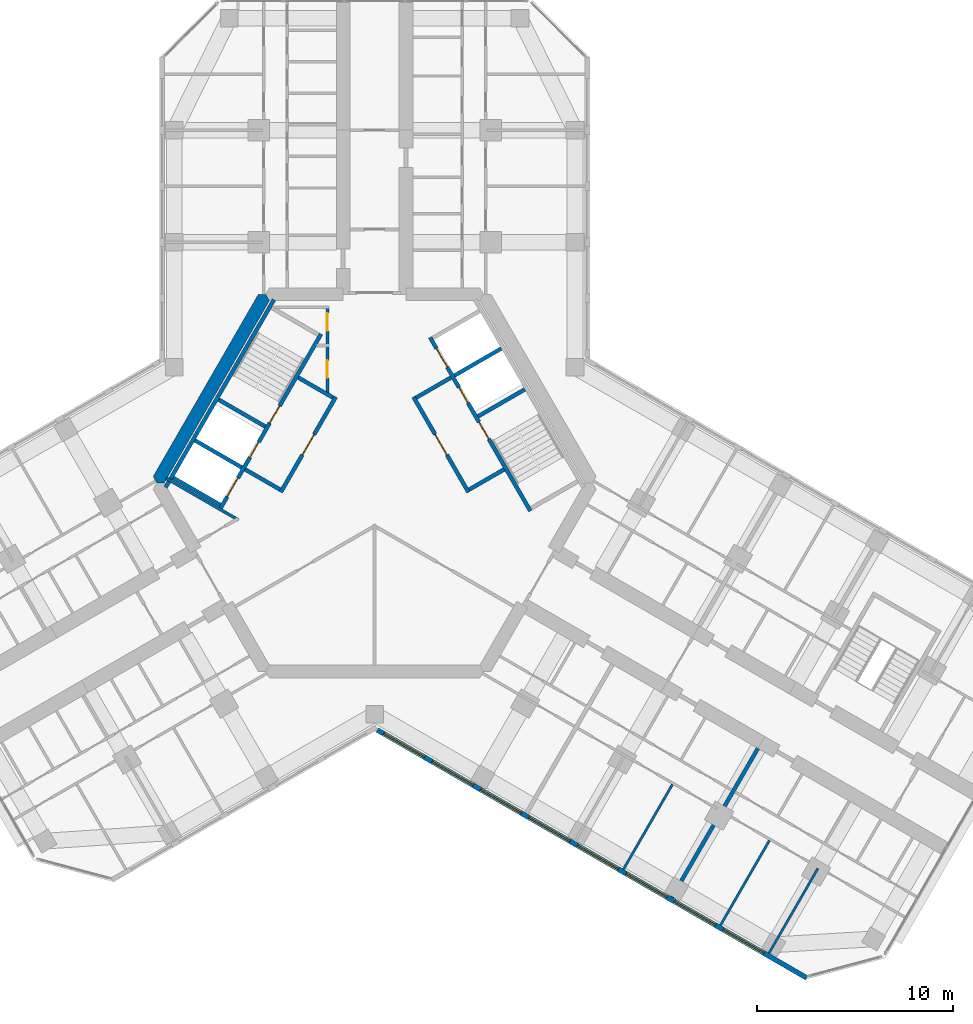
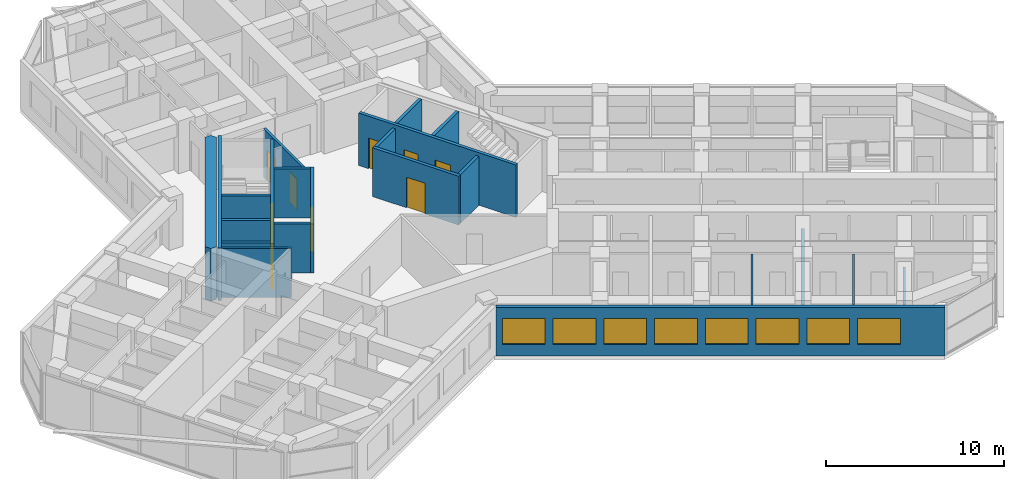
# One storey, part 10 of 16: 22 walls, 10 doors, 8 windows, 18 openings.
"""IFC4 building model written with IfcOpenShell, lengths in metres."""

from ifc_helpers import new_model, si_unit, direction, frame, frame_2d, origin, place, context, subcontext, project, spatial, polyline, rectangle, outline, extrude, material, layer, layer_set, type_object, element, fill, save


model = new_model("IFC4")

# Units and contexts
model_context = context("Model", 3, precision=1e-05, world=origin(), true_north=direction((0.0, 1.0)))
body_context = subcontext(model_context, "Body", "Model", "MODEL_VIEW")
ifc_project = project(units=[si_unit("LENGTHUNIT", "METRE"), si_unit("AREAUNIT", "SQUARE_METRE"), si_unit("VOLUMEUNIT", "CUBIC_METRE"), si_unit("PLANEANGLEUNIT", "RADIAN"), si_unit("MASSUNIT", "GRAM", prefix="KILO")], contexts=[model_context])

# Site, building, storey
site_placement = place(None, origin())
site = spatial("IfcSite", under=ifc_project, at=site_placement, CompositionType="ELEMENT")
building_placement = place(site_placement, origin())
building = spatial("IfcBuilding", under=site, at=building_placement, Name="Kosmar Iwan School Tower", CompositionType="ELEMENT")
storey_placement = place(building_placement, frame((0.0, 0.0, 215.39990234375)))
storey = spatial("IfcBuildingStorey", under=building, at=storey_placement, Name="L54", CompositionType="ELEMENT", Elevation=215.39990234375)

# Wall, openings, doors
ifc_material_1 = material(Name="Gypsum board on steel studs, fire-rated", Category="steel")
ifc_layer_1 = layer(ifc_material_1, 0.14990234375)
ifc_layer_set_1 = layer_set([ifc_layer_1], Name="Core room partition 150")
wall_type_1 = type_object("IfcWallType", Name="Core room partition 150", PredefinedType="PARTITIONING", material=ifc_layer_set_1)
wall_1_placement = place(storey_placement, frame((-2.39990234375, 9.014892578125, 0.0), z_axis=(0.0, 0.0, 1.0), x_axis=(0.0, -1.0, 0.0)))
wall_1 = element("IfcWall", 1, at=wall_1_placement, inside=storey, type_object=wall_type_1, Name="Core room partition L54-CW1", PredefinedType="PARTITIONING", context=body_context, shape_type="SweptSolid", body=[
    extrude(rectangle(XDim=4.484130859375, YDim=0.14990234375, at=frame_2d((2.2421875, 0.0))), origin(), (0.0, 0.0, 1.0), 3.35009765625),
])
opening_1_placement = place(wall_1_placement, frame((0.375, 0.0, 0.0)))
opening_1 = element("IfcOpeningElement", 2, at=opening_1_placement, cuts=wall_1, Name="Opening D14", PredefinedType="OPENING", context=body_context, shape_type="SweptSolid", body=[
    extrude(rectangle(XDim=0.89990234375, YDim=2.10009765625, at=frame_2d((0.449951171875, 1.050048828125))), frame((0.0, 0.0869140625, 0.0), z_axis=(0.0, -1.0, 0.0), x_axis=(1.0, 0.0, 0.0)), (0.0, 0.0, 1.0), 0.173828125),
])
opening_2_placement = place(wall_1_placement, frame((2.77490234375, 0.0, 0.0)))
opening_2 = element("IfcOpeningElement", 3, at=opening_2_placement, cuts=wall_1, Name="Opening D14", PredefinedType="OPENING", context=body_context, shape_type="SweptSolid", body=[
    extrude(rectangle(XDim=0.89990234375, YDim=2.10009765625, at=frame_2d((0.449951171875, 1.050048828125))), frame((0.0, 0.0869140625, 0.0), z_axis=(0.0, -1.0, 0.0), x_axis=(1.0, 0.0, 0.0)), (0.0, 0.0, 1.0), 0.173828125),
])
ifc_material_2 = material(Name="Timber fire door in steel frame", Category="steel")
door_type_1 = type_object("IfcDoorType", Name="Core room door 900x2100", OperationType="SINGLE_SWING_LEFT", PredefinedType="DOOR", material=ifc_material_2)
door_1_placement = place(opening_1_placement, origin())
door_1 = element("IfcDoor", 4, at=door_1_placement, inside=storey, type_object=door_type_1, Name="Electrical riser and switch room door L54 1", OperationType="SINGLE_SWING_LEFT", OverallHeight=2.10009765625, OverallWidth=0.89990234375, PredefinedType="DOOR", context=body_context, shape_type="SweptSolid", body=[
    extrude(rectangle(XDim=0.89990234375, YDim=2.10009765625, at=frame_2d((0.449951171875, 1.050048828125))), frame((0.0, 0.02490234375, 0.0), z_axis=(0.0, -1.0, 0.0), x_axis=(1.0, 0.0, 0.0)), (0.0, 0.0, 1.0), 0.050048828125),
])
fill(opening_1, door_1)
door_2_placement = place(opening_2_placement, origin())
door_2 = element("IfcDoor", 5, at=door_2_placement, inside=storey, type_object=door_type_1, Name="Plumbing and wet riser door L54 2", OperationType="SINGLE_SWING_RIGHT", OverallHeight=2.10009765625, OverallWidth=0.89990234375, PredefinedType="DOOR", context=body_context, shape_type="SweptSolid", body=[
    extrude(rectangle(XDim=0.89990234375, YDim=2.10009765625, at=frame_2d((0.449951171875, 1.050048828125))), frame((0.0, 0.02490234375, 0.0), z_axis=(0.0, -1.0, 0.0), x_axis=(1.0, 0.0, 0.0)), (0.0, 0.0, 1.0), 0.050048828125),
])
fill(opening_2, door_2)

# Walls
wall_2_placement = place(storey_placement, frame((-10.599609375, 0.230712890625, 0.0), z_axis=(0.0, 0.0, 1.0), x_axis=(0.866026091839, -0.499998808253, 0.0)))
element("IfcWall", 6, at=wall_2_placement, inside=storey, type_object=wall_type_1, Name="Core room partition L54-CW8", PredefinedType="PARTITIONING", context=body_context, shape_type="SweptSolid", body=[
    extrude(rectangle(XDim=4.2314453125, YDim=0.14990234375, at=frame_2d((2.11572265625, 0.0))), origin(), (0.0, 0.0, 1.0), 3.35009765625),
])
ifc_material_3 = material(Name="Concrete C50/60", Category="concrete")
ifc_layer_2 = layer(ifc_material_3, 0.64990234375)
ifc_layer_set_2 = layer_set([ifc_layer_2], Name="Core wall 650")
wall_type_2 = type_object("IfcWallType", Name="Core wall 650", PredefinedType="SHEAR", material=ifc_layer_set_2)
wall_3_placement = place(storey_placement, origin())
element("IfcWall", 7, at=wall_3_placement, inside=storey, type_object=wall_type_2, Name="Core wall F150", PredefinedType="SHEAR", context=body_context, shape_type="SweptSolid", body=[
    extrude(outline(polyline([(-11.085205078125, 0.0), (-10.7099609375, 0.0), (-5.35498046875, 9.27490234375), (-5.54248046875, 9.60009765625), (-5.917724609375, 9.60009765625), (-11.272705078125, 0.324951171875), (-11.085205078125, 0.0)])), origin(), (0.0, 0.0, 1.0), 3.60009765625),
])
ifc_material_4 = material(Name="Gypsum board on steel studs", Category="steel")
ifc_layer_3 = layer(ifc_material_4, 0.1201171875)
ifc_layer_set_3 = layer_set([ifc_layer_3], Name="Dwelling partition 120")
wall_type_3 = type_object("IfcWallType", Name="Dwelling partition 120", PredefinedType="PARTITIONING", material=ifc_layer_set_3)
for number, where, z_axis, x_axis, name in (
    (8, (15.158447265625, -15.344970703125, 0.0), (0.0, 0.0, 1.0), (-0.500011847778, -0.866018563358, 0.0), "Partition L54-CR2-X2"),
    (9, (20.0947265625, -18.195068359375, 0.0), (0.0, 0.0, 1.0), (-0.500011847778, -0.866018563358, 0.0), "Partition L54-CR3-X1"),
):
    element("IfcWall", number, at=place(storey_placement, frame(where, z_axis=z_axis, x_axis=x_axis)), inside=storey, type_object=wall_type_3, Name=name, PredefinedType="PARTITIONING", context=body_context, shape_type="SweptSolid", body=[
        extrude(rectangle(XDim=4.990234375, YDim=0.1201171875, at=frame_2d((2.4951171875, 0.0))), origin(), (0.0, 0.0, 1.0), 3.35009765625),
    ])
wall_4_placement = place(storey_placement, frame((22.562744140625, -19.6201171875, 0.0), z_axis=(0.0, 0.0, 1.0), x_axis=(-0.499996339024, -0.86602751744, 0.0)))
element("IfcWall", 10, at=wall_4_placement, inside=storey, type_object=wall_type_3, Name="Partition L54-CR3-X2", PredefinedType="PARTITIONING", context=body_context, shape_type="SweptSolid", body=[
    extrude(rectangle(XDim=4.98974609375, YDim=0.1201171875, at=frame_2d((2.494873046875, 0.0))), origin(), (0.0, 0.0, 1.0), 2.4501953125),
])

# Wall, openings, windows
ifc_material_5 = material(Name="Black aluminium rainscreen on insulated framing", Category="aluminium")
ifc_layer_4 = layer(ifc_material_5, 0.25)
ifc_layer_set_4 = layer_set([ifc_layer_4], Name="External wall rainscreen 250")
wall_type_4 = type_object("IfcWallType", Name="External wall rainscreen 250", PredefinedType="SOLIDWALL", material=ifc_layer_set_4)
wall_5_placement = place(storey_placement, frame((0.137939453125, -12.5791015625, 0.0), z_axis=(0.0, 0.0, 1.0), x_axis=(0.866023775649, -0.500002820003, 0.0)))
wall_5 = element("IfcWall", 11, at=wall_5_placement, inside=storey, type_object=wall_type_4, Name="External wall CR L54", PredefinedType="SOLIDWALL", context=body_context, shape_type="SweptSolid", body=[
    extrude(rectangle(XDim=25.226318359375, YDim=0.25, at=frame_2d((12.61328125, 0.0))), origin(), (0.0, 0.0, 1.0), 3.35009765625),
])
opening_3_placement = place(wall_5_placement, frame((0.365966796875, 0.0, 0.800048828125)))
opening_3 = element("IfcOpeningElement", 12, at=opening_3_placement, cuts=wall_5, Name="Opening W5", PredefinedType="OPENING", context=body_context, shape_type="SweptSolid", body=[
    extrude(rectangle(XDim=2.39990234375, YDim=1.800048828125, at=frame_2d((1.199951171875, 0.89990234375))), frame((0.0, 0.136962890625, 0.0), z_axis=(0.0, -1.0, 0.0), x_axis=(1.0, 0.0, 0.0)), (0.0, 0.0, 1.0), 0.27392578125),
])
opening_4_placement = place(wall_5_placement, frame((3.216064453125, 0.0, 0.800048828125)))
opening_4 = element("IfcOpeningElement", 13, at=opening_4_placement, cuts=wall_5, Name="Opening W5", PredefinedType="OPENING", context=body_context, shape_type="SweptSolid", body=[
    extrude(rectangle(XDim=2.39990234375, YDim=1.800048828125, at=frame_2d((1.199951171875, 0.89990234375))), frame((0.0, 0.136962890625, 0.0), z_axis=(0.0, -1.0, 0.0), x_axis=(1.0, 0.0, 0.0)), (0.0, 0.0, 1.0), 0.27392578125),
])
opening_5_placement = place(wall_5_placement, frame((6.06591796875, 0.0, 0.800048828125)))
opening_5 = element("IfcOpeningElement", 14, at=opening_5_placement, cuts=wall_5, Name="Opening W5", PredefinedType="OPENING", context=body_context, shape_type="SweptSolid", body=[
    extrude(rectangle(XDim=2.39990234375, YDim=1.800048828125, at=frame_2d((1.199951171875, 0.89990234375))), frame((0.0, 0.136962890625, 0.0), z_axis=(0.0, -1.0, 0.0), x_axis=(1.0, 0.0, 0.0)), (0.0, 0.0, 1.0), 0.27392578125),
])
opening_6_placement = place(wall_5_placement, frame((8.916015625, 0.0, 0.800048828125)))
opening_6 = element("IfcOpeningElement", 15, at=opening_6_placement, cuts=wall_5, Name="Opening W5", PredefinedType="OPENING", context=body_context, shape_type="SweptSolid", body=[
    extrude(rectangle(XDim=2.39990234375, YDim=1.800048828125, at=frame_2d((1.199951171875, 0.89990234375))), frame((0.0, 0.136962890625, 0.0), z_axis=(0.0, -1.0, 0.0), x_axis=(1.0, 0.0, 0.0)), (0.0, 0.0, 1.0), 0.27392578125),
])
opening_7_placement = place(wall_5_placement, frame((11.76611328125, 0.0, 0.800048828125)))
opening_7 = element("IfcOpeningElement", 16, at=opening_7_placement, cuts=wall_5, Name="Opening W5", PredefinedType="OPENING", context=body_context, shape_type="SweptSolid", body=[
    extrude(rectangle(XDim=2.39990234375, YDim=1.800048828125, at=frame_2d((1.199951171875, 0.89990234375))), frame((0.0, 0.136962890625, 0.0), z_axis=(0.0, -1.0, 0.0), x_axis=(1.0, 0.0, 0.0)), (0.0, 0.0, 1.0), 0.27392578125),
])
opening_8_placement = place(wall_5_placement, frame((14.615966796875, 0.0, 0.800048828125)))
opening_8 = element("IfcOpeningElement", 17, at=opening_8_placement, cuts=wall_5, Name="Opening W5", PredefinedType="OPENING", context=body_context, shape_type="SweptSolid", body=[
    extrude(rectangle(XDim=2.39990234375, YDim=1.800048828125, at=frame_2d((1.199951171875, 0.89990234375))), frame((0.0, 0.136962890625, 0.0), z_axis=(0.0, -1.0, 0.0), x_axis=(1.0, 0.0, 0.0)), (0.0, 0.0, 1.0), 0.27392578125),
])
opening_9_placement = place(wall_5_placement, frame((17.466064453125, 0.0, 0.800048828125)))
opening_9 = element("IfcOpeningElement", 18, at=opening_9_placement, cuts=wall_5, Name="Opening W5", PredefinedType="OPENING", context=body_context, shape_type="SweptSolid", body=[
    extrude(rectangle(XDim=2.39990234375, YDim=1.800048828125, at=frame_2d((1.199951171875, 0.89990234375))), frame((0.0, 0.136962890625, 0.0), z_axis=(0.0, -1.0, 0.0), x_axis=(1.0, 0.0, 0.0)), (0.0, 0.0, 1.0), 0.27392578125),
])
opening_10_placement = place(wall_5_placement, frame((20.31591796875, 0.0, 0.800048828125)))
opening_10 = element("IfcOpeningElement", 19, at=opening_10_placement, cuts=wall_5, Name="Opening W5", PredefinedType="OPENING", context=body_context, shape_type="SweptSolid", body=[
    extrude(rectangle(XDim=2.39990234375, YDim=1.800048828125, at=frame_2d((1.199951171875, 0.89990234375))), frame((0.0, 0.136962890625, 0.0), z_axis=(0.0, -1.0, 0.0), x_axis=(1.0, 0.0, 0.0)), (0.0, 0.0, 1.0), 0.27392578125),
])
ifc_material_6 = material(Name="Black aluminium frame with dark triple glazing", Category="aluminium")
window_type = type_object("IfcWindowType", Name="Window 2400x1800", PartitioningType="SINGLE_PANEL", PredefinedType="WINDOW", material=ifc_material_6)
window_1_placement = place(opening_3_placement, origin())
window_1 = element("IfcWindow", 20, at=window_1_placement, inside=storey, type_object=window_type, Name="Window CR L54 -1", OverallHeight=1.800048828125, OverallWidth=2.39990234375, PartitioningType="SINGLE_PANEL", PredefinedType="WINDOW", context=body_context, shape_type="SweptSolid", body=[
    extrude(rectangle(XDim=2.39990234375, YDim=1.800048828125, at=frame_2d((1.199951171875, 0.89990234375))), frame((0.0, 0.030029296875, 0.0), z_axis=(0.0, -1.0, 0.0), x_axis=(1.0, 0.0, 0.0)), (0.0, 0.0, 1.0), 0.06005859375),
])
fill(opening_3, window_1)
window_2_placement = place(opening_4_placement, origin())
window_2 = element("IfcWindow", 21, at=window_2_placement, inside=storey, type_object=window_type, Name="Window CR L54 0", OverallHeight=1.800048828125, OverallWidth=2.39990234375, PartitioningType="SINGLE_PANEL", PredefinedType="WINDOW", context=body_context, shape_type="SweptSolid", body=[
    extrude(rectangle(XDim=2.39990234375, YDim=1.800048828125, at=frame_2d((1.199951171875, 0.89990234375))), frame((0.0, 0.030029296875, 0.0), z_axis=(0.0, -1.0, 0.0), x_axis=(1.0, 0.0, 0.0)), (0.0, 0.0, 1.0), 0.06005859375),
])
fill(opening_4, window_2)
window_3_placement = place(opening_5_placement, origin())
window_3 = element("IfcWindow", 22, at=window_3_placement, inside=storey, type_object=window_type, Name="Window CR L54 1", OverallHeight=1.800048828125, OverallWidth=2.39990234375, PartitioningType="SINGLE_PANEL", PredefinedType="WINDOW", context=body_context, shape_type="SweptSolid", body=[
    extrude(rectangle(XDim=2.39990234375, YDim=1.800048828125, at=frame_2d((1.199951171875, 0.89990234375))), frame((0.0, 0.030029296875, 0.0), z_axis=(0.0, -1.0, 0.0), x_axis=(1.0, 0.0, 0.0)), (0.0, 0.0, 1.0), 0.06005859375),
])
fill(opening_5, window_3)
window_4_placement = place(opening_6_placement, origin())
window_4 = element("IfcWindow", 23, at=window_4_placement, inside=storey, type_object=window_type, Name="Window CR L54 2", OverallHeight=1.800048828125, OverallWidth=2.39990234375, PartitioningType="SINGLE_PANEL", PredefinedType="WINDOW", context=body_context, shape_type="SweptSolid", body=[
    extrude(rectangle(XDim=2.39990234375, YDim=1.800048828125, at=frame_2d((1.199951171875, 0.89990234375))), frame((0.0, 0.030029296875, 0.0), z_axis=(0.0, -1.0, 0.0), x_axis=(1.0, 0.0, 0.0)), (0.0, 0.0, 1.0), 0.06005859375),
])
fill(opening_6, window_4)
window_5_placement = place(opening_7_placement, origin())
window_5 = element("IfcWindow", 24, at=window_5_placement, inside=storey, type_object=window_type, Name="Window CR L54 3", OverallHeight=1.800048828125, OverallWidth=2.39990234375, PartitioningType="SINGLE_PANEL", PredefinedType="WINDOW", context=body_context, shape_type="SweptSolid", body=[
    extrude(rectangle(XDim=2.39990234375, YDim=1.800048828125, at=frame_2d((1.199951171875, 0.89990234375))), frame((0.0, 0.030029296875, 0.0), z_axis=(0.0, -1.0, 0.0), x_axis=(1.0, 0.0, 0.0)), (0.0, 0.0, 1.0), 0.06005859375),
])
fill(opening_7, window_5)
window_6_placement = place(opening_8_placement, origin())
window_6 = element("IfcWindow", 25, at=window_6_placement, inside=storey, type_object=window_type, Name="Window CR L54 4", OverallHeight=1.800048828125, OverallWidth=2.39990234375, PartitioningType="SINGLE_PANEL", PredefinedType="WINDOW", context=body_context, shape_type="SweptSolid", body=[
    extrude(rectangle(XDim=2.39990234375, YDim=1.800048828125, at=frame_2d((1.199951171875, 0.89990234375))), frame((0.0, 0.030029296875, 0.0), z_axis=(0.0, -1.0, 0.0), x_axis=(1.0, 0.0, 0.0)), (0.0, 0.0, 1.0), 0.06005859375),
])
fill(opening_8, window_6)
window_7_placement = place(opening_9_placement, origin())
window_7 = element("IfcWindow", 26, at=window_7_placement, inside=storey, type_object=window_type, Name="Window CR L54 5", OverallHeight=1.800048828125, OverallWidth=2.39990234375, PartitioningType="SINGLE_PANEL", PredefinedType="WINDOW", context=body_context, shape_type="SweptSolid", body=[
    extrude(rectangle(XDim=2.39990234375, YDim=1.800048828125, at=frame_2d((1.199951171875, 0.89990234375))), frame((0.0, 0.030029296875, 0.0), z_axis=(0.0, -1.0, 0.0), x_axis=(1.0, 0.0, 0.0)), (0.0, 0.0, 1.0), 0.06005859375),
])
fill(opening_9, window_7)
window_8_placement = place(opening_10_placement, origin())
window_8 = element("IfcWindow", 27, at=window_8_placement, inside=storey, type_object=window_type, Name="Window CR L54 6", OverallHeight=1.800048828125, OverallWidth=2.39990234375, PartitioningType="SINGLE_PANEL", PredefinedType="WINDOW", context=body_context, shape_type="SweptSolid", body=[
    extrude(rectangle(XDim=2.39990234375, YDim=1.800048828125, at=frame_2d((1.199951171875, 0.89990234375))), frame((0.0, 0.030029296875, 0.0), z_axis=(0.0, -1.0, 0.0), x_axis=(1.0, 0.0, 0.0)), (0.0, 0.0, 1.0), 0.06005859375),
])
fill(opening_10, window_8)

# Wall, opening, door
ifc_material_7 = material(Name="Concrete block masonry", Category="masonry")
ifc_layer_5 = layer(ifc_material_7, 0.199951171875)
ifc_layer_set_5 = layer_set([ifc_layer_5], Name="Fire lobby wall 200")
wall_type_5 = type_object("IfcWallType", Name="Fire lobby wall 200", PredefinedType="PARTITIONING", material=ifc_layer_set_5)
wall_6_placement = place(storey_placement, frame((-1.9775390625, 4.374755859375, 0.0), z_axis=(0.0, 0.0, 1.0), x_axis=(-0.500016814911, -0.866015695474, 0.0)))
wall_6 = element("IfcWall", 28, at=wall_6_placement, inside=storey, type_object=wall_type_5, Name="Firefighting lobby wall ST2", PredefinedType="PARTITIONING", context=body_context, shape_type="SweptSolid", body=[
    extrude(rectangle(XDim=5.599853515625, YDim=0.199951171875, at=frame_2d((2.7998046875, 0.0))), origin(), (0.0, 0.0, 1.0), 3.35009765625),
])
opening_11_placement = place(wall_6_placement, frame((2.199951171875, 0.0, 0.0)))
opening_11 = element("IfcOpeningElement", 29, at=opening_11_placement, cuts=wall_6, Name="Opening D7", PredefinedType="OPENING", context=body_context, shape_type="SweptSolid", body=[
    extrude(rectangle(XDim=1.199951171875, YDim=2.10009765625, at=frame_2d((0.60009765625, 1.050048828125))), frame((0.0, 0.112060546875, 0.0), z_axis=(0.0, -1.0, 0.0), x_axis=(1.0, 0.0, 0.0)), (0.0, 0.0, 1.0), 0.223876953125),
])
ifc_material_8 = material(Name="Steel fire door", Category="steel")
door_type_2 = type_object("IfcDoorType", Name="Fire lobby door 1200x2100", OperationType="SINGLE_SWING_LEFT", PredefinedType="DOOR", material=ifc_material_8)
door_3_placement = place(opening_11_placement, origin())
door_3 = element("IfcDoor", 30, at=door_3_placement, inside=storey, type_object=door_type_2, Name="Firefighting lobby door ST2 L54", OperationType="SINGLE_SWING_RIGHT", OverallHeight=2.10009765625, OverallWidth=1.199951171875, PredefinedType="DOOR", context=body_context, shape_type="SweptSolid", body=[
    extrude(rectangle(XDim=1.199951171875, YDim=2.10009765625, at=frame_2d((0.60009765625, 1.050048828125))), frame((0.0, 0.02490234375, 0.0), z_axis=(0.0, -1.0, 0.0), x_axis=(1.0, 0.0, 0.0)), (0.0, 0.0, 1.0), 0.050048828125),
])
fill(opening_11, door_3)

# Walls
wall_7_placement = place(storey_placement, frame((-2.114013671875, 4.33837890625, 0.0), z_axis=(0.0, 0.0, 1.0), x_axis=(-0.866050731258, 0.499956128963, 0.0)))
element("IfcWall", 31, at=wall_7_placement, inside=storey, type_object=wall_type_5, Name="Firefighting lobby wall ST2", PredefinedType="PARTITIONING", context=body_context, shape_type="SweptSolid", body=[
    extrude(rectangle(XDim=2.050048828125, YDim=0.199951171875, at=frame_2d((1.02490234375, 0.0))), origin(), (0.0, 0.0, 1.0), 3.35009765625),
])
wall_8_placement = place(storey_placement, frame((-4.814208984375, -0.33837890625, 0.0), z_axis=(0.0, 0.0, 1.0), x_axis=(-0.865969381856, 0.500097020274, 0.0)))
element("IfcWall", 32, at=wall_8_placement, inside=storey, type_object=wall_type_5, Name="Firefighting lobby wall ST2", PredefinedType="PARTITIONING", context=body_context, shape_type="SweptSolid", body=[
    extrude(rectangle(XDim=2.0498046875, YDim=0.199951171875, at=frame_2d((1.02490234375, 0.0))), origin(), (0.0, 0.0, 1.0), 3.35009765625),
])

# Wall, opening, door
wall_9_placement = place(storey_placement, frame((4.777587890625, -0.474853515625, 0.0), z_axis=(0.0, 0.0, 1.0), x_axis=(-0.500016814911, 0.866015695474, 0.0)))
wall_9 = element("IfcWall", 33, at=wall_9_placement, inside=storey, type_object=wall_type_5, Name="Firefighting lobby wall ST1", PredefinedType="PARTITIONING", context=body_context, shape_type="SweptSolid", body=[
    extrude(rectangle(XDim=5.599853515625, YDim=0.199951171875, at=frame_2d((2.7998046875, 0.0))), origin(), (0.0, 0.0, 1.0), 3.35009765625),
])
opening_12_placement = place(wall_9_placement, frame((2.199951171875, 0.0, 0.0)))
opening_12 = element("IfcOpeningElement", 34, at=opening_12_placement, cuts=wall_9, Name="Opening D7", PredefinedType="OPENING", context=body_context, shape_type="SweptSolid", body=[
    extrude(rectangle(XDim=1.199951171875, YDim=2.10009765625, at=frame_2d((0.60009765625, 1.050048828125))), frame((0.0, 0.112060546875, 0.0), z_axis=(0.0, -1.0, 0.0), x_axis=(1.0, 0.0, 0.0)), (0.0, 0.0, 1.0), 0.223876953125),
])
door_4_placement = place(opening_12_placement, origin())
door_4 = element("IfcDoor", 35, at=door_4_placement, inside=storey, type_object=door_type_2, Name="Firefighting lobby door ST1 L54", OperationType="SINGLE_SWING_RIGHT", OverallHeight=2.10009765625, OverallWidth=1.199951171875, PredefinedType="DOOR", context=body_context, shape_type="SweptSolid", body=[
    extrude(rectangle(XDim=1.199951171875, YDim=2.10009765625, at=frame_2d((0.60009765625, 1.050048828125))), frame((0.0, 0.02490234375, 0.0), z_axis=(0.0, -1.0, 0.0), x_axis=(1.0, 0.0, 0.0)), (0.0, 0.0, 1.0), 0.050048828125),
])
fill(opening_12, door_4)

# Walls
wall_10_placement = place(storey_placement, frame((4.814208984375, -0.33837890625, 0.0), z_axis=(0.0, 0.0, 1.0), x_axis=(0.865969381856, 0.500097020274, 0.0)))
element("IfcWall", 36, at=wall_10_placement, inside=storey, type_object=wall_type_5, Name="Firefighting lobby wall ST1", PredefinedType="PARTITIONING", context=body_context, shape_type="SweptSolid", body=[
    extrude(rectangle(XDim=2.0498046875, YDim=0.199951171875, at=frame_2d((1.02490234375, 0.0))), origin(), (0.0, 0.0, 1.0), 3.35009765625),
])
wall_11_placement = place(storey_placement, frame((2.114013671875, 4.33837890625, 0.0), z_axis=(0.0, 0.0, 1.0), x_axis=(0.866050731258, 0.499956128963, 0.0)))
element("IfcWall", 37, at=wall_11_placement, inside=storey, type_object=wall_type_5, Name="Firefighting lobby wall ST1", PredefinedType="PARTITIONING", context=body_context, shape_type="SweptSolid", body=[
    extrude(rectangle(XDim=2.050048828125, YDim=0.199951171875, at=frame_2d((1.02490234375, 0.0))), origin(), (0.0, 0.0, 1.0), 3.35009765625),
])

# Wall, openings, doors
ifc_material_9 = material(Name="Concrete C50/60", Category="concrete")
ifc_layer_6 = layer(ifc_material_9, 0.199951171875)
ifc_layer_set_6 = layer_set([ifc_layer_6], Name="Lift shaft wall 200")
wall_type_6 = type_object("IfcWallType", Name="Lift shaft wall 200", PredefinedType="SHEAR", material=ifc_layer_set_6)
wall_12_placement = place(storey_placement, frame((-2.72607421875, 7.578369140625, 0.0), z_axis=(0.0, 0.0, 1.0), x_axis=(-0.499998717582, -0.866026144187, 0.0)))
wall_12 = element("IfcWall", 38, at=wall_12_placement, inside=storey, type_object=wall_type_6, Name="Lift and stair front wall AB", PredefinedType="SHEAR", context=body_context, shape_type="SweptSolid", body=[
    extrude(rectangle(XDim=10.22509765625, YDim=0.199951171875, at=frame_2d((5.112548828125, 0.0))), origin(), (0.0, 0.0, 1.0), 3.60009765625),
])
opening_13_placement = place(wall_12_placement, frame((6.35009765625, 0.0, 0.0)))
opening_13 = element("IfcOpeningElement", 39, at=opening_13_placement, cuts=wall_12, Name="Opening LD2", PredefinedType="OPENING", context=body_context, shape_type="SweptSolid", body=[
    extrude(rectangle(XDim=0.89990234375, YDim=2.10009765625, at=frame_2d((0.449951171875, 1.050048828125))), frame((0.0, 0.112060546875, 0.0), z_axis=(0.0, -1.0, 0.0), x_axis=(1.0, 0.0, 0.0)), (0.0, 0.0, 1.0), 0.223876953125),
])
opening_14_placement = place(wall_12_placement, frame((8.449951171875, 0.0, 0.0)))
opening_14 = element("IfcOpeningElement", 40, at=opening_14_placement, cuts=wall_12, Name="Opening LD1", PredefinedType="OPENING", context=body_context, shape_type="SweptSolid", body=[
    extrude(rectangle(XDim=1.10009765625, YDim=2.10009765625, at=frame_2d((0.550048828125, 1.050048828125))), frame((0.0, 0.112060546875, 0.0), z_axis=(0.0, -1.0, 0.0), x_axis=(1.0, 0.0, 0.0)), (0.0, 0.0, 1.0), 0.223876953125),
])
opening_15_placement = place(wall_12_placement, frame((4.22998046875, 0.0, 0.0)))
opening_15 = element("IfcOpeningElement", 41, at=opening_15_placement, cuts=wall_12, Name="Opening D6", PredefinedType="OPENING", context=body_context, shape_type="SweptSolid", body=[
    extrude(rectangle(XDim=1.0, YDim=2.10009765625, at=frame_2d((0.5, 1.050048828125))), frame((0.0, 0.112060546875, 0.0), z_axis=(0.0, -1.0, 0.0), x_axis=(1.0, 0.0, 0.0)), (0.0, 0.0, 1.0), 0.223876953125),
])
ifc_material_10 = material(Name="Stainless steel sliding lift door", Category="steel")
door_type_3 = type_object("IfcDoorType", Name="Firefighting lift landing door 900x2100", OperationType="SLIDING_TO_LEFT", PredefinedType="DOOR", material=ifc_material_10)
door_5_placement = place(opening_13_placement, origin())
door_5 = element("IfcDoor", 42, at=door_5_placement, inside=storey, type_object=door_type_3, Name="Lift FF2 landing door L54", OperationType="SLIDING_TO_LEFT", OverallHeight=2.10009765625, OverallWidth=0.89990234375, PredefinedType="DOOR", context=body_context, shape_type="SweptSolid", body=[
    extrude(rectangle(XDim=0.89990234375, YDim=2.10009765625, at=frame_2d((0.449951171875, 1.050048828125))), frame((0.0, 0.02490234375, 0.0), z_axis=(0.0, -1.0, 0.0), x_axis=(1.0, 0.0, 0.0)), (0.0, 0.0, 1.0), 0.050048828125),
])
fill(opening_13, door_5)
ifc_material_11 = material(Name="Stainless steel sliding lift door", Category="steel")
door_type_4 = type_object("IfcDoorType", Name="Lift landing door 1100x2100", OperationType="SLIDING_TO_LEFT", PredefinedType="DOOR", material=ifc_material_11)
door_6_placement = place(opening_14_placement, origin())
door_6 = element("IfcDoor", 43, at=door_6_placement, inside=storey, type_object=door_type_4, Name="Lift PL6 landing door L54", OperationType="SLIDING_TO_LEFT", OverallHeight=2.10009765625, OverallWidth=1.10009765625, PredefinedType="DOOR", context=body_context, shape_type="SweptSolid", body=[
    extrude(rectangle(XDim=1.10009765625, YDim=2.10009765625, at=frame_2d((0.550048828125, 1.050048828125))), frame((0.0, 0.02490234375, 0.0), z_axis=(0.0, -1.0, 0.0), x_axis=(1.0, 0.0, 0.0)), (0.0, 0.0, 1.0), 0.050048828125),
])
fill(opening_14, door_6)
ifc_material_12 = material(Name="Steel fire door", Category="steel")
door_type_5 = type_object("IfcDoorType", Name="Stair door 1000x2100", OperationType="SINGLE_SWING_LEFT", PredefinedType="DOOR", material=ifc_material_12)
door_7_placement = place(opening_15_placement, origin())
door_7 = element("IfcDoor", 44, at=door_7_placement, inside=storey, type_object=door_type_5, Name="Stair ST2 door L54", OperationType="SINGLE_SWING_LEFT", OverallHeight=2.10009765625, OverallWidth=1.0, PredefinedType="DOOR", context=body_context, shape_type="SweptSolid", body=[
    extrude(rectangle(XDim=1.0, YDim=2.10009765625, at=frame_2d((0.5, 1.050048828125))), frame((0.0, 0.02490234375, 0.0), z_axis=(0.0, -1.0, 0.0), x_axis=(1.0, 0.0, 0.0)), (0.0, 0.0, 1.0), 0.050048828125),
])
fill(opening_15, door_7)

# Walls
wall_13_placement = place(storey_placement, frame((-5.1240234375, 9.324951171875, 0.0), z_axis=(0.0, 0.0, 1.0), x_axis=(-0.49999650507, -0.866027421574, 0.0)))
element("IfcWall", 45, at=wall_13_placement, inside=storey, type_object=wall_type_6, Name="Lift and stair back wall AB", PredefinedType="SHEAR", context=body_context, shape_type="SweptSolid", body=[
    extrude(rectangle(XDim=11.02734375, YDim=0.199951171875, at=frame_2d((5.513671875, 0.0))), origin(), (0.0, 0.0, 1.0), 3.60009765625),
])
for number, where, z_axis, x_axis, name in (
    (46, (-6.7626953125, 0.78662109375, 0.0), (0.0, 0.0, 1.0), (-0.866027397988, 0.499996545922, 0.0), "Lift shaft wall AB 1"),
    (47, (-7.862548828125, -1.118408203125, 0.0), (0.0, 0.0, 1.0), (-0.866027397988, 0.499996545922, 0.0), "Lift shaft wall AB 2"),
):
    element("IfcWall", number, at=place(storey_placement, frame(where, z_axis=z_axis, x_axis=x_axis)), inside=storey, type_object=wall_type_6, Name=name, PredefinedType="SHEAR", context=body_context, shape_type="SweptSolid", body=[
        extrude(rectangle(XDim=2.75, YDim=0.199951171875, at=frame_2d((1.375, 0.0))), origin(), (0.0, 0.0, 1.0), 3.60009765625),
    ])

# Wall, openings, doors
wall_14_placement = place(storey_placement, frame((7.926025390625, -1.42822265625, 0.0), z_axis=(0.0, 0.0, 1.0), x_axis=(-0.499998023675, 0.866026544813, 0.0)))
wall_14 = element("IfcWall", 48, at=wall_14_placement, inside=storey, type_object=wall_type_6, Name="Lift and stair front wall AC", PredefinedType="SHEAR", context=body_context, shape_type="SweptSolid", body=[
    extrude(rectangle(XDim=10.19970703125, YDim=0.199951171875, at=frame_2d((5.099853515625, 0.0))), origin(), (0.0, 0.0, 1.0), 3.60009765625),
])
opening_16_placement = place(wall_14_placement, frame((6.35009765625, 0.0, 0.0)))
opening_16 = element("IfcOpeningElement", 49, at=opening_16_placement, cuts=wall_14, Name="Opening LD2", PredefinedType="OPENING", context=body_context, shape_type="SweptSolid", body=[
    extrude(rectangle(XDim=0.89990234375, YDim=2.10009765625, at=frame_2d((0.449951171875, 1.050048828125))), frame((0.0, 0.112060546875, 0.0), z_axis=(0.0, -1.0, 0.0), x_axis=(1.0, 0.0, 0.0)), (0.0, 0.0, 1.0), 0.223876953125),
])
opening_17_placement = place(wall_14_placement, frame((8.449951171875, 0.0, 0.0)))
opening_17 = element("IfcOpeningElement", 50, at=opening_17_placement, cuts=wall_14, Name="Opening LD1", PredefinedType="OPENING", context=body_context, shape_type="SweptSolid", body=[
    extrude(rectangle(XDim=1.10009765625, YDim=2.10009765625, at=frame_2d((0.550048828125, 1.050048828125))), frame((0.0, 0.112060546875, 0.0), z_axis=(0.0, -1.0, 0.0), x_axis=(1.0, 0.0, 0.0)), (0.0, 0.0, 1.0), 0.223876953125),
])
opening_18_placement = place(wall_14_placement, frame((4.22998046875, 0.0, 0.0)))
opening_18 = element("IfcOpeningElement", 51, at=opening_18_placement, cuts=wall_14, Name="Opening D6", PredefinedType="OPENING", context=body_context, shape_type="SweptSolid", body=[
    extrude(rectangle(XDim=1.0, YDim=2.10009765625, at=frame_2d((0.5, 1.050048828125))), frame((0.0, 0.112060546875, 0.0), z_axis=(0.0, -1.0, 0.0), x_axis=(1.0, 0.0, 0.0)), (0.0, 0.0, 1.0), 0.223876953125),
])
door_8_placement = place(opening_16_placement, origin())
door_8 = element("IfcDoor", 52, at=door_8_placement, inside=storey, type_object=door_type_3, Name="Lift FF1 landing door L54", OperationType="SLIDING_TO_LEFT", OverallHeight=2.10009765625, OverallWidth=0.89990234375, PredefinedType="DOOR", context=body_context, shape_type="SweptSolid", body=[
    extrude(rectangle(XDim=0.89990234375, YDim=2.10009765625, at=frame_2d((0.449951171875, 1.050048828125))), frame((0.0, 0.02490234375, 0.0), z_axis=(0.0, -1.0, 0.0), x_axis=(1.0, 0.0, 0.0)), (0.0, 0.0, 1.0), 0.050048828125),
])
fill(opening_16, door_8)
door_9_placement = place(opening_17_placement, origin())
door_9 = element("IfcDoor", 53, at=door_9_placement, inside=storey, type_object=door_type_4, Name="Lift PL5 landing door L54", OperationType="SLIDING_TO_LEFT", OverallHeight=2.10009765625, OverallWidth=1.10009765625, PredefinedType="DOOR", context=body_context, shape_type="SweptSolid", body=[
    extrude(rectangle(XDim=1.10009765625, YDim=2.10009765625, at=frame_2d((0.550048828125, 1.050048828125))), frame((0.0, 0.02490234375, 0.0), z_axis=(0.0, -1.0, 0.0), x_axis=(1.0, 0.0, 0.0)), (0.0, 0.0, 1.0), 0.050048828125),
])
fill(opening_17, door_9)
door_10_placement = place(opening_18_placement, origin())
door_10 = element("IfcDoor", 54, at=door_10_placement, inside=storey, type_object=door_type_5, Name="Stair ST1 door L54", OperationType="SINGLE_SWING_LEFT", OverallHeight=2.10009765625, OverallWidth=1.0, PredefinedType="DOOR", context=body_context, shape_type="SweptSolid", body=[
    extrude(rectangle(XDim=1.0, YDim=2.10009765625, at=frame_2d((0.5, 1.050048828125))), frame((0.0, 0.02490234375, 0.0), z_axis=(0.0, -1.0, 0.0), x_axis=(1.0, 0.0, 0.0)), (0.0, 0.0, 1.0), 0.050048828125),
])
fill(opening_18, door_10)

# Walls
wall_15_placement = place(storey_placement, frame((4.062744140625, 5.46337890625, 0.0), z_axis=(0.0, 0.0, 1.0), x_axis=(0.866027397988, 0.499996545922, 0.0)))
element("IfcWall", 55, at=wall_15_placement, inside=storey, type_object=wall_type_6, Name="Lift shaft wall AC 1", PredefinedType="SHEAR", context=body_context, shape_type="SweptSolid", body=[
    extrude(rectangle(XDim=2.75, YDim=0.199951171875, at=frame_2d((1.375, 0.0))), origin(), (0.0, 0.0, 1.0), 3.60009765625),
])
ifc_material_13 = material(Name="Concrete block masonry", Category="masonry")
ifc_layer_7 = layer(ifc_material_13, 0.199951171875)
ifc_layer_set_7 = layer_set([ifc_layer_7], Name="Party wall 200")
wall_type_7 = type_object("IfcWallType", Name="Party wall 200", PredefinedType="PARTITIONING", material=ifc_layer_set_7)
wall_16_placement = place(storey_placement, frame((19.506591796875, -13.513671875, 0.0), z_axis=(0.0, 0.0, 1.0), x_axis=(-0.499992152613, -0.866029934428, 0.0)))
element("IfcWall", 56, at=wall_16_placement, inside=storey, type_object=wall_type_7, Name="Partition L54-CR3-PW", PredefinedType="PARTITIONING", context=body_context, shape_type="SweptSolid", body=[
    extrude(rectangle(XDim=8.750244140625, YDim=0.199951171875, at=frame_2d((4.375, 0.0))), origin(), (0.0, 0.0, 1.0), 2.4501953125),
])
ifc_material_14 = material(Name="Concrete C50/60", Category="concrete")
ifc_layer_8 = layer(ifc_material_14, 0.199951171875)
ifc_layer_set_8 = layer_set([ifc_layer_8], Name="Stair enclosure wall 200")
wall_type_8 = type_object("IfcWallType", Name="Stair enclosure wall 200", PredefinedType="SHEAR", material=ifc_layer_set_8)
for number, where, z_axis, x_axis, name in (
    (57, (-5.562744140625, 2.865234375, 0.0), (0.0, 0.0, 1.0), (-0.866027397988, 0.499996545922, 0.0), "Stair ST2 wall"),
    (58, (5.2626953125, 3.384765625, 0.0), (0.0, 0.0, 1.0), (0.866027397988, 0.499996545922, 0.0), "Stair ST1 wall"),
):
    element("IfcWall", number, at=place(storey_placement, frame(where, z_axis=z_axis, x_axis=x_axis)), inside=storey, type_object=wall_type_8, Name=name, PredefinedType="SHEAR", context=body_context, shape_type="SweptSolid", body=[
        extrude(rectangle(XDim=2.75, YDim=0.199951171875, at=frame_2d((1.375, 0.0))), origin(), (0.0, 0.0, 1.0), 3.60009765625),
    ])

save(model, "model.ifc")
